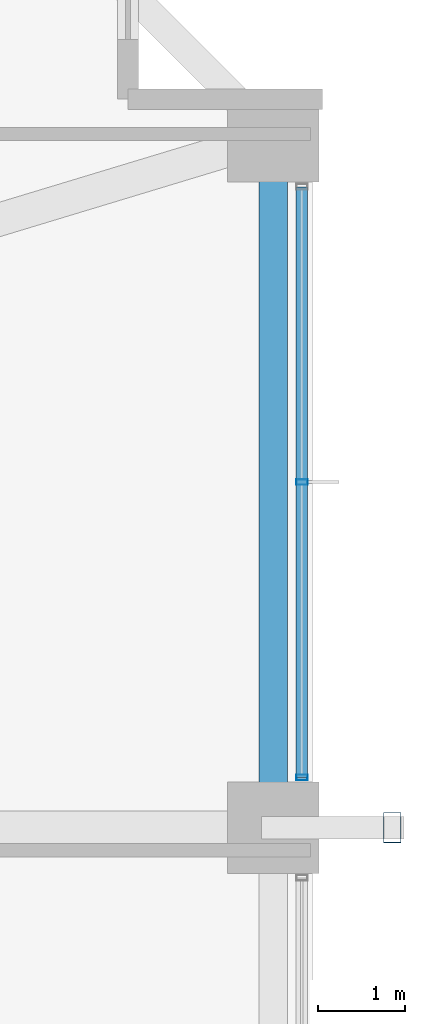
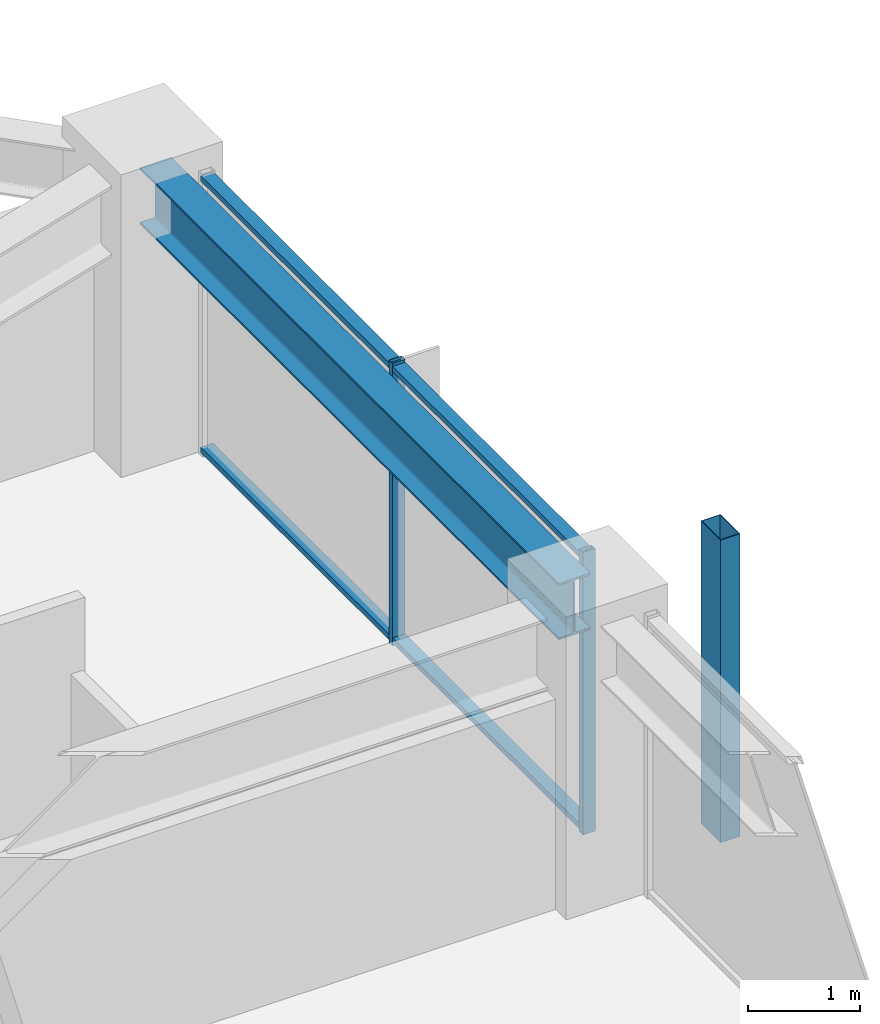
# One storey, part 13 of 31: 5 members, 1 beam, 1 element without a shape of its own.
"""IFC4 building model written with IfcOpenShell, lengths in metres."""

import ifcopenshell
import ifcopenshell.guid

model = None  # the IFC model being written
_history = None  # IfcOwnerHistory: only IFC2X3 demands one
_inside = {}  # id of a spatial element -> (the spatial element, [elements in it])
_under = {}  # id of a project, library or spatial element -> (it, [spatial elements below it])
_declared = {}  # id of a project -> (the project, [libraries it declares])
_typed = {}  # id of a type object -> (the type object, [elements of that type])
_made_of = {}  # id of a material, layer set ... -> (it, [elements and type objects made of it])


def new_model(schema):
    """Start an empty IFC model of exactly this schema.

    Asked for "IFC4X3", IfcOpenShell would pick the latest addendum, in which some entities
    have other attributes; the version numbers below select the first issue.
    IFC2X3 requires an IfcOwnerHistory on every rooted entity: one is made here for all.
    """
    global model, _history
    if schema == "IFC4X3":
        model = ifcopenshell.file(schema_version=(4, 3, 0, 0))
    else:
        model = ifcopenshell.file(schema=schema)
    _inside.clear()
    _under.clear()
    _declared.clear()
    _typed.clear()
    _made_of.clear()
    _history = None
    if model.schema == "IFC2X3":
        org = make("IfcOrganization", Name="unknown")
        user = make(
            "IfcPersonAndOrganization",
            ThePerson=make("IfcPerson", FamilyName="unknown"),
            TheOrganization=org,
        )
        app = make(
            "IfcApplication",
            ApplicationDeveloper=org,
            Version="unknown",
            ApplicationFullName="unknown",
            ApplicationIdentifier="unknown",
        )
        _history = make(
            "IfcOwnerHistory",
            OwningUser=user,
            OwningApplication=app,
            ChangeAction="ADDED",
            CreationDate=0,
        )
    return model


def make(cls, **values):
    """One entity of the class cls with the attributes given. An attribute that is None is left unset."""
    return model.create_entity(
        cls, **{name: value for name, value in values.items() if value is not None}
    )


def rooted(cls, **values):
    """An entity with a GlobalId (a new one), such as an element, a storey or a relation."""
    return make(cls, GlobalId=ifcopenshell.guid.new(), OwnerHistory=_history, **values)


def si_unit(unit_type, name, prefix=None):
    """IfcSIUnit, for example si_unit("LENGTHUNIT", "METRE", prefix="MILLI")."""
    return make("IfcSIUnit", UnitType=unit_type, Prefix=prefix, Name=name)


def assignment(units):
    """IfcUnitAssignment: the units of a project."""
    return None if units is None else make("IfcUnitAssignment", Units=units)


def point(xyz):
    """IfcCartesianPoint."""
    return None if xyz is None else make("IfcCartesianPoint", Coordinates=xyz)


def direction(xyz):
    """IfcDirection."""
    return None if xyz is None else make("IfcDirection", DirectionRatios=xyz)


def frame(location, z_axis=None, x_axis=None):
    """IfcAxis2Placement3D, a coordinate frame: its origin and axes. An axis left out is left unset."""
    return make(
        "IfcAxis2Placement3D",
        Location=point(location),
        Axis=direction(z_axis),
        RefDirection=direction(x_axis),
    )


def frame_2d(location, x_axis=None):
    """IfcAxis2Placement2D, a coordinate frame in the plane: its origin and x axis."""
    return make(
        "IfcAxis2Placement2D", Location=point(location), RefDirection=direction(x_axis)
    )


def origin():
    """The frame at (0, 0, 0) with its axes left unset."""
    return frame((0.0, 0.0, 0.0))


def origin_2d():
    """The frame at (0, 0) in the plane with its x axis left unset."""
    return frame_2d((0.0, 0.0))


def place(relative_to, where):
    """IfcLocalPlacement: puts the frame where relative to a parent placement (None: the world)."""
    return make(
        "IfcLocalPlacement", PlacementRelTo=relative_to, RelativePlacement=where
    )


def context(
    kind, dimensions, precision=None, world=None, true_north=None, identifier=None
):
    """IfcGeometricRepresentationContext, for example the 3D "Model" context."""
    return make(
        "IfcGeometricRepresentationContext",
        ContextIdentifier=identifier,
        ContextType=kind,
        CoordinateSpaceDimension=dimensions,
        Precision=precision,
        WorldCoordinateSystem=world,
        TrueNorth=true_north,
    )


def subcontext(parent, identifier, kind, view, scale=None):
    """IfcGeometricRepresentationSubContext, for example "Body" below "Model"."""
    return make(
        "IfcGeometricRepresentationSubContext",
        ContextIdentifier=identifier,
        ContextType=kind,
        ParentContext=parent,
        TargetScale=scale,
        TargetView=view,
    )


def project(units=None, contexts=None):
    """IfcProject with its units and contexts."""
    return rooted(
        "IfcProject",
        Name="project",
        RepresentationContexts=contexts,
        UnitsInContext=assignment(units),
    )


def spatial(cls, under=None, at=None, **own):
    """A site, building, storey or space (cls), placed at a placement, below another one or the project."""
    s = rooted(cls, ObjectPlacement=at, **own)
    if under is not None:
        _under.setdefault(under.id(), (under, []))[1].append(s)
    return s


def profile(cls, at=None, kind="AREA", **sizes):
    """A parametric profile (cls). Its sizes go by their IFC names, for example OverallWidth=200.0."""
    return make(cls, ProfileType=kind, Position=at, **sizes)


def hollow_rectangle(**sizes):
    """IfcRectangleHollowProfileDef."""
    return profile("IfcRectangleHollowProfileDef", **sizes)


def i_section(**sizes):
    """IfcIShapeProfileDef."""
    return profile("IfcIShapeProfileDef", **sizes)


def extrude(swept, where, along, depth):
    """IfcExtrudedAreaSolid: the profile swept, set in the frame where, extruded along a direction by depth."""
    return make(
        "IfcExtrudedAreaSolid",
        SweptArea=swept,
        Position=where,
        ExtrudedDirection=direction(along),
        Depth=depth,
    )


def shape(context_of_items, identifier, shape_type, items):
    """IfcShapeRepresentation: the items that make up one representation, for example the "Body"."""
    return make(
        "IfcShapeRepresentation",
        ContextOfItems=context_of_items,
        RepresentationIdentifier=identifier,
        RepresentationType=shape_type,
        Items=items,
    )


def material(Name=None, Category=None):
    """IfcMaterial."""
    return make("IfcMaterial", Name=Name, Category=Category)


def material_profile(
    of_material, cross_section, Name=None, Category=None, Priority=None
):
    """IfcMaterialProfile: a cross section and its material."""
    return make(
        "IfcMaterialProfile",
        Name=Name,
        Material=of_material,
        Profile=cross_section,
        Priority=Priority,
        Category=Category,
    )


def profile_set(profiles, Name=None, composite=None):
    """IfcMaterialProfileSet."""
    return make(
        "IfcMaterialProfileSet",
        Name=Name,
        MaterialProfiles=profiles,
        CompositeProfile=composite,
    )


def made_of(thing, what):
    """Note that an element or type object is made of a material, layer set ...; save() writes the relation."""
    if what is not None:
        _made_of.setdefault(what.id(), (what, []))[1].append(thing)
    return thing


def type_object(cls, material=None, **own):
    """A type object (cls), such as IfcWallType, which elements share."""
    return made_of(rooted(cls, **own), material)


def element(
    cls,
    number,
    at=None,
    inside=None,
    cuts=None,
    type_object=None,
    material=None,
    context=None,
    identifier="Body",
    shape_type=None,
    held_by="IfcProductDefinitionShape",
    body=None,
    shapes=None,
    **own,
):
    """One element of the class cls, such as IfcWall. Its Tag is "e" and its number.

    at: its placement. inside: the storey or other place that contains it. cuts: it is an
    opening in that element (IfcRelVoidsElement). A single representation is given by context,
    identifier, shape_type and body (its items); several are given by shapes. held_by: the class
    of the entity that holds the representations. save() writes the other relations.
    """
    e = rooted(cls, Tag="e%d" % number, ObjectPlacement=at, **own)
    if body is not None:
        shapes = [shape(context, identifier, shape_type, body)]
    if shapes is not None:
        e.Representation = make(held_by, Representations=shapes)
    if inside is not None:
        _inside.setdefault(inside.id(), (inside, []))[1].append(e)
    if cuts is not None:
        rooted(
            "IfcRelVoidsElement", RelatingBuildingElement=cuts, RelatedOpeningElement=e
        )
    if type_object is not None:
        _typed.setdefault(type_object.id(), (type_object, []))[1].append(e)
    return made_of(e, material)


def aggregate(whole, parts):
    """IfcRelAggregates: a whole, such as a stair, and the parts it consists of."""
    return rooted("IfcRelAggregates", RelatingObject=whole, RelatedObjects=parts)


def save(model, path):
    """Write the relations noted so far, then the file.

    IfcRelAggregates (storeys below a building ...), IfcRelContainedInSpatialStructure (elements
    in a storey), IfcRelDefinesByType, IfcRelAssociatesMaterial and IfcRelDeclares: one each for
    every whole, place, type object, material and project.
    """
    for whole, parts in _under.values():
        aggregate(whole, parts)
    for where, things in _inside.values():
        rooted(
            "IfcRelContainedInSpatialStructure",
            RelatedElements=things,
            RelatingStructure=where,
        )
    for kind, things in _typed.values():
        rooted("IfcRelDefinesByType", RelatedObjects=things, RelatingType=kind)
    for what, things in _made_of.values():
        rooted("IfcRelAssociatesMaterial", RelatedObjects=things, RelatingMaterial=what)
    for by, libraries in _declared.values():
        rooted("IfcRelDeclares", RelatingContext=by, RelatedDefinitions=libraries)
    model.write(path)


model = new_model("IFC4")

# Units and contexts
model_context = context("Model", 3, precision=1e-05, world=origin(), true_north=direction((0.0, 1.0)))
body_context = subcontext(model_context, "Body", "Model", "MODEL_VIEW")
ifc_project = project(units=[si_unit("LENGTHUNIT", "METRE"), si_unit("AREAUNIT", "SQUARE_METRE"), si_unit("VOLUMEUNIT", "CUBIC_METRE"), si_unit("PLANEANGLEUNIT", "RADIAN"), si_unit("MASSUNIT", "GRAM", prefix="KILO")], contexts=[model_context])

# Site, building, storey
site_placement = place(None, origin())
site = spatial("IfcSite", under=ifc_project, at=site_placement, CompositionType="ELEMENT")
building_placement = place(site_placement, origin())
building = spatial("IfcBuilding", under=site, at=building_placement, Name="Kolvaren Belvedere", CompositionType="ELEMENT")
storey_placement = place(building_placement, frame((0.0, 0.0, 118.39990234375)))
storey = spatial("IfcBuildingStorey", under=building, at=storey_placement, Name="L34", CompositionType="ELEMENT", Elevation=118.39990234375)

# Beam
ifc_material_1 = material(Name="Structural steel ASTM A992 Grade 50", Category="steel")
ifc_material_profile_1 = material_profile(ifc_material_1, i_section(OverallWidth=0.324951171875, OverallDepth=0.615966796875, WebThickness=0.013916015625, FlangeThickness=0.021484375, FilletRadius=0.02001953125, at=origin_2d()), Name="W24X117")
ifc_profile_set_1 = profile_set([ifc_material_profile_1], Name="Structural steel ASTM A992 Grade 50")
beam_type = type_object("IfcBeamType", Name="BM-SPAN-W24X117", PredefinedType="SPANDREL", material=ifc_profile_set_1)
beam_placement = place(storey_placement, frame((18.64990234375, 4.836181640625, 2.772216796875), z_axis=(0.0, 1.0, 0.0), x_axis=(-1.0, 0.0, 0.0)))
element("IfcBeam", 1, at=beam_placement, inside=storey, type_object=beam_type, Name="L34 Perimeter Spandrel E3-E4", PredefinedType="SPANDREL", context=body_context, shape_type="SweptSolid", body=[
    extrude(i_section(OverallWidth=0.324951171875, OverallDepth=0.615966796875, WebThickness=0.013916015625, FlangeThickness=0.021484375, FilletRadius=0.02001953125, at=origin_2d()), origin(), (0.0, 0.0, 1.0), 7.4775390625),
])

# Curtain wall, members
ifc_material_2 = material(Name="Anodised pale-metal aluminium AA 6063-T6", Category="aluminium")
curtain_wall_type = type_object("IfcCurtainWallType", Name="CW-Z3-WAIST", PredefinedType="NOTDEFINED", material=ifc_material_2)
curtain_wall_placement = place(storey_placement, origin())
curtain_wall = element("IfcCurtainWall", 2, at=curtain_wall_placement, inside=storey, type_object=curtain_wall_type, Name="L34 Unitised Curtain Wall FCW-L34-E-B1", PredefinedType="NOTDEFINED")
ifc_material_3 = material(Name="Anodised pale-metal aluminium AA 6063-T6", Category="aluminium")
ifc_material_profile_2 = material_profile(ifc_material_3, hollow_rectangle(XDim=0.06494140625, YDim=0.1298828125, WallThickness=0.00390625, at=origin_2d()), Name="ALU-MUL-130X65")
ifc_profile_set_2 = profile_set([ifc_material_profile_2], Name="Anodised pale-metal aluminium AA 6063-T6")
member_type_1 = type_object("IfcMemberType", Name="CW-MUL-130", PredefinedType="MULLION", material=ifc_profile_set_2)
member_1_placement = place(storey_placement, frame((18.97998046875, 8.574951171875, 0.0), z_axis=(0.0, 0.0, 1.0), x_axis=(0.0, 1.0, 0.0)))
member_1 = element("IfcMember", 3, at=member_1_placement, type_object=member_type_1, Name="FCW-L34-E-B1 Unitised Mullion 2", PredefinedType="MULLION", context=body_context, shape_type="SweptSolid", body=[
    extrude(hollow_rectangle(XDim=0.06494140625, YDim=0.1298828125, WallThickness=0.00390625, at=origin_2d()), origin(), (0.0, 0.0, 1.0), 3.080078125),
])
member_2_placement = place(storey_placement, frame((18.97998046875, 5.177490234375, 0.0), z_axis=(0.0, 0.0, 1.0), x_axis=(0.0, 1.0, 0.0)))
member_2 = element("IfcMember", 4, at=member_2_placement, type_object=member_type_1, Name="FCW-L34-E-B1 Unitised Mullion 3", PredefinedType="MULLION", context=body_context, shape_type="SweptSolid", body=[
    extrude(hollow_rectangle(XDim=0.06494140625, YDim=0.1298828125, WallThickness=0.00390625, at=origin_2d()), origin(), (0.0, 0.0, 1.0), 3.080078125),
])
ifc_material_4 = material(Name="Anodised pale-metal aluminium AA 6063-T6", Category="aluminium")
ifc_material_profile_3 = material_profile(ifc_material_4, hollow_rectangle(XDim=0.06005859375, YDim=0.1298828125, WallThickness=0.00390625, at=origin_2d()), Name="ALU-TRN-130X60")
ifc_profile_set_3 = profile_set([ifc_material_profile_3], Name="Anodised pale-metal aluminium AA 6063-T6")
member_type_2 = type_object("IfcMemberType", Name="CW-TRN-130", PredefinedType="USERDEFINED", material=ifc_profile_set_3)
member_3_placement = place(storey_placement, frame((18.97998046875, 11.972412109375, 0.06005859375), z_axis=(0.0, -1.0, 0.0), x_axis=(0.0, 0.0, 1.0)))
member_3 = element("IfcMember", 5, at=member_3_placement, type_object=member_type_2, Name="FCW-L34-E-B1 Sill Transom", ObjectType="TRANSOM", PredefinedType="USERDEFINED", context=body_context, shape_type="SweptSolid", body=[
    extrude(hollow_rectangle(XDim=0.06005859375, YDim=0.1298828125, WallThickness=0.00390625, at=origin_2d()), origin(), (0.0, 0.0, 1.0), 6.794921875),
])
member_4_placement = place(storey_placement, frame((18.97998046875, 11.972412109375, 3.02001953125), z_axis=(0.0, -1.0, 0.0), x_axis=(0.0, 0.0, 1.0)))
member_4 = element("IfcMember", 6, at=member_4_placement, type_object=member_type_2, Name="FCW-L34-E-B1 Head Transom", ObjectType="TRANSOM", PredefinedType="USERDEFINED", context=body_context, shape_type="SweptSolid", body=[
    extrude(hollow_rectangle(XDim=0.06005859375, YDim=0.1298828125, WallThickness=0.00390625, at=origin_2d()), origin(), (0.0, 0.0, 1.0), 6.794921875),
])
aggregate(curtain_wall, [member_1, member_2, member_3, member_4])

# Member
ifc_material_5 = material(Name="Anodised pale-metal aluminium AA 6063-T6", Category="aluminium")
ifc_material_profile_4 = material_profile(ifc_material_5, hollow_rectangle(XDim=0.199951171875, YDim=0.35009765625, WallThickness=0.007568359375, at=origin_2d()), Name="ALU-PF-350X200")
ifc_profile_set_4 = profile_set([ifc_material_profile_4], Name="Anodised pale-metal aluminium AA 6063-T6")
member_type_3 = type_object("IfcMemberType", Name="PF-FRAME-350", PredefinedType="USERDEFINED", material=ifc_profile_set_4)
member_5_placement = place(storey_placement, frame((20.02001953125, 4.60009765625, 0.0), z_axis=(0.0, 0.0, 1.0), x_axis=(1.0, 0.0, 0.0)))
element("IfcMember", 7, at=member_5_placement, inside=storey, type_object=member_type_3, Name="L34 Outboard Picture-Frame Vertical E1", ObjectType="PICTURE FRAME FIN", PredefinedType="USERDEFINED", context=body_context, shape_type="SweptSolid", body=[
    extrude(hollow_rectangle(XDim=0.199951171875, YDim=0.35009765625, WallThickness=0.007568359375, at=origin_2d()), origin(), (0.0, 0.0, 1.0), 3.300048828125),
])

save(model, "model.ifc")
